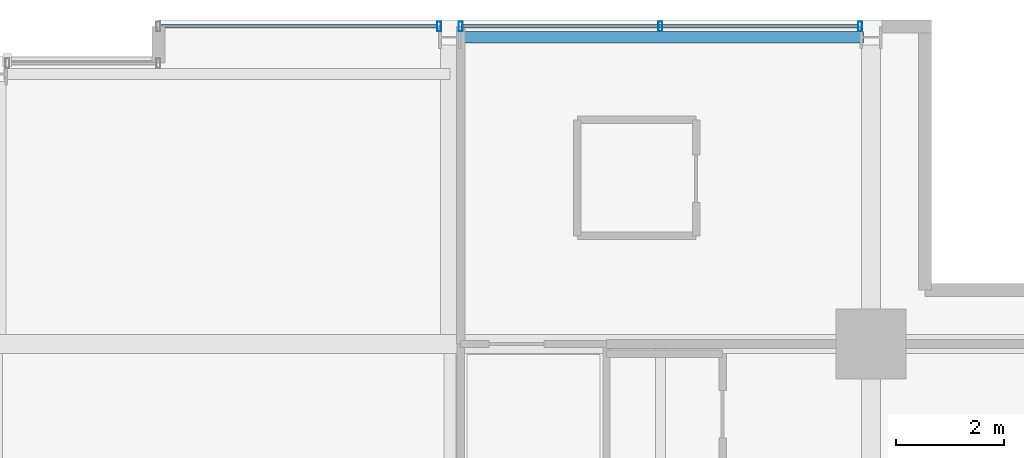
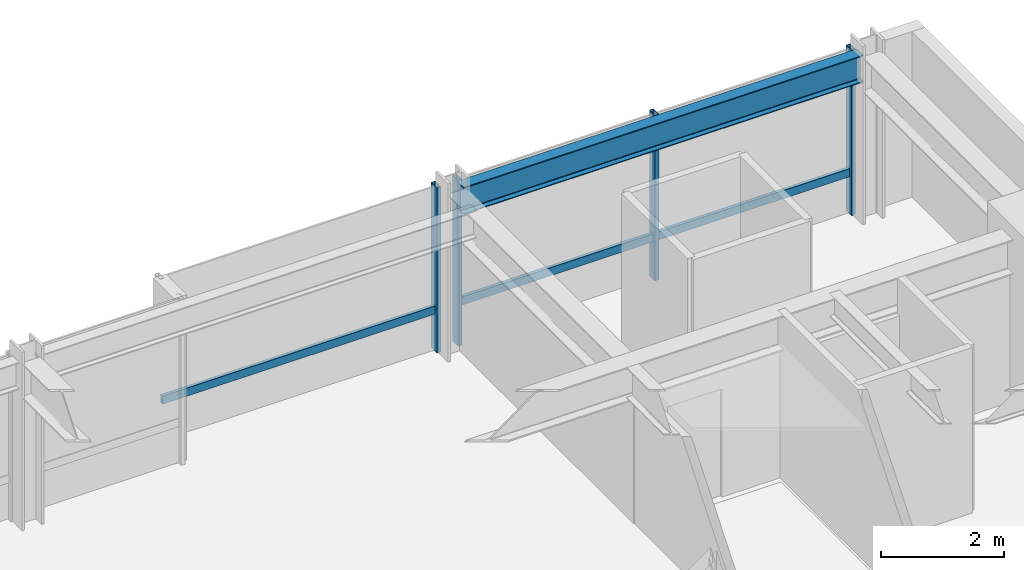
# One storey, part 25 of 33: 6 members, 1 beam, 2 elements without a shape of their own.
"""IFC4 building model written with IfcOpenShell, lengths in metres."""

from ifc_helpers import new_model, si_unit, direction, frame, origin, origin_2d, place, context, subcontext, project, spatial, hollow_rectangle, i_section, extrude, material, layer, layer_set, material_profile, profile_set, type_object, element, aggregate, save


model = new_model("IFC4")

# Units and contexts
model_context = context("Model", 3, precision=1e-05, world=origin(), true_north=direction((0.0, 1.0)))
body_context = subcontext(model_context, "Body", "Model", "MODEL_VIEW")
ifc_project = project(units=[si_unit("LENGTHUNIT", "METRE"), si_unit("AREAUNIT", "SQUARE_METRE"), si_unit("VOLUMEUNIT", "CUBIC_METRE"), si_unit("PLANEANGLEUNIT", "RADIAN"), si_unit("MASSUNIT", "GRAM", prefix="KILO")], contexts=[model_context])

# Site, building, storey
site_placement = place(None, origin())
site = spatial("IfcSite", under=ifc_project, at=site_placement, CompositionType="ELEMENT")
building_placement = place(site_placement, origin())
building = spatial("IfcBuilding", under=site, at=building_placement, Name="Drelvath Grand Hotel", CompositionType="ELEMENT")
storey_placement = place(building_placement, frame((0.0, 0.0, 161.050048828125)))
storey = spatial("IfcBuildingStorey", under=building, at=storey_placement, Name="L41", CompositionType="ELEMENT", Elevation=161.050048828125)

# Curtain wall, member
ifc_material_1 = material(Name="Brushed Pale-Silver Anodised Aluminium Frame", Category="aluminium")
ifc_layer = layer(ifc_material_1, 0.199951171875)
ifc_layer_set = layer_set([ifc_layer], Name="Brushed Pale-Silver Anodised Aluminium Frame")
curtain_wall_type = type_object("IfcCurtainWallType", Name="Stick Curtain Wall CW-04 Brushed Silver Upper-Mid", PredefinedType="NOTDEFINED", material=ifc_layer_set)
curtain_wall_1_placement = place(storey_placement, origin())
curtain_wall_1 = element("IfcCurtainWall", 1, at=curtain_wall_1_placement, inside=storey, type_object=curtain_wall_type, Name="L41 CW-04 Curtain Wall CW04-L41-NE1", PredefinedType="NOTDEFINED")
ifc_material_profile_1 = material_profile(ifc_material_1, hollow_rectangle(XDim=0.06494140625, YDim=0.159912109375, WallThickness=0.00390625, at=origin_2d()), Name="HSS160X65X4")
ifc_profile_set_1 = profile_set([ifc_material_profile_1], Name="Brushed Pale-Silver Anodised Aluminium Frame")
member_type_1 = type_object("IfcMemberType", Name="Curtain Wall Horizontal Transom CW-04 HSS160X65X4", PredefinedType="USERDEFINED", material=ifc_profile_set_1)
member_1_placement = place(storey_placement, frame((3.0400390625, 49.080078125, 0.822509765625), z_axis=(1.0, 0.0, 0.0), x_axis=(0.0, 1.0, 0.0)))
member_1 = element("IfcMember", 2, at=member_1_placement, type_object=member_type_1, Name="CW04-L41-NE1 Sill Transom", ObjectType="TRANSOM", PredefinedType="USERDEFINED", context=body_context, shape_type="SweptSolid", body=[
    extrude(hollow_rectangle(XDim=0.06494140625, YDim=0.159912109375, WallThickness=0.00390625, at=origin_2d()), origin(), (0.0, 0.0, 1.0), 5.119873046875),
])

curtain_wall_2_placement = place(storey_placement, origin())
curtain_wall_2 = element("IfcCurtainWall", 3, at=curtain_wall_2_placement, inside=storey, type_object=curtain_wall_type, Name="L41 CW-04 Curtain Wall CW04-L41-NE2", PredefinedType="NOTDEFINED")
member_2_placement = place(storey_placement, frame((8.64013671875, 49.080078125, 0.822509765625), z_axis=(1.0, 0.0, 0.0), x_axis=(0.0, 1.0, 0.0)))
member_2 = element("IfcMember", 4, at=member_2_placement, type_object=member_type_1, Name="CW04-L41-NE2 Sill Transom", ObjectType="TRANSOM", PredefinedType="USERDEFINED", context=body_context, shape_type="SweptSolid", body=[
    extrude(hollow_rectangle(XDim=0.06494140625, YDim=0.159912109375, WallThickness=0.00390625, at=origin_2d()), origin(), (0.0, 0.0, 1.0), 7.31982421875),
])

# Member
ifc_material_profile_2 = material_profile(ifc_material_1, hollow_rectangle(XDim=0.074951171875, YDim=0.179931640625, WallThickness=0.0048828125, at=origin_2d()), Name="HSS180X75X5")
ifc_profile_set_2 = profile_set([ifc_material_profile_2], Name="Brushed Pale-Silver Anodised Aluminium Frame")
member_type_2 = type_object("IfcMemberType", Name="Curtain Wall Vertical Mullion CW-04 HSS180X75X5", PredefinedType="MULLION", material=ifc_profile_set_2)
member_3_placement = place(storey_placement, frame((8.199951171875, 49.080078125, 0.0), z_axis=(0.0, 0.0, 1.0), x_axis=(1.0, 0.0, 0.0)))
member_3 = element("IfcMember", 5, at=member_3_placement, type_object=member_type_2, Name="CW04-L41-NE1 Mullion 2", PredefinedType="MULLION", context=body_context, shape_type="SweptSolid", body=[
    extrude(hollow_rectangle(XDim=0.074951171875, YDim=0.179931640625, WallThickness=0.0048828125, at=origin_2d()), origin(), (0.0, 0.0, 1.0), 3.2900390625),
])

aggregate(curtain_wall_1, [member_3, member_1])

member_4_placement = place(storey_placement, frame((8.60009765625, 49.080078125, 0.0), z_axis=(0.0, 0.0, 1.0), x_axis=(1.0, 0.0, 0.0)))
member_4 = element("IfcMember", 6, at=member_4_placement, type_object=member_type_2, Name="CW04-L41-NE2 Mullion 1", PredefinedType="MULLION", context=body_context, shape_type="SweptSolid", body=[
    extrude(hollow_rectangle(XDim=0.074951171875, YDim=0.179931640625, WallThickness=0.0048828125, at=origin_2d()), origin(), (0.0, 0.0, 1.0), 3.2900390625),
])

member_5_placement = place(storey_placement, frame((12.300048828125, 49.080078125, 0.0), z_axis=(0.0, 0.0, 1.0), x_axis=(1.0, 0.0, 0.0)))
member_5 = element("IfcMember", 7, at=member_5_placement, type_object=member_type_2, Name="CW04-L41-NE2 Mullion 2", PredefinedType="MULLION", context=body_context, shape_type="SweptSolid", body=[
    extrude(hollow_rectangle(XDim=0.074951171875, YDim=0.179931640625, WallThickness=0.0048828125, at=origin_2d()), origin(), (0.0, 0.0, 1.0), 3.2900390625),
])

member_6_placement = place(storey_placement, frame((16.0, 49.080078125, 0.0), z_axis=(0.0, 0.0, 1.0), x_axis=(1.0, 0.0, 0.0)))
member_6 = element("IfcMember", 8, at=member_6_placement, type_object=member_type_2, Name="CW04-L41-NE2 Mullion 3", PredefinedType="MULLION", context=body_context, shape_type="SweptSolid", body=[
    extrude(hollow_rectangle(XDim=0.074951171875, YDim=0.179931640625, WallThickness=0.0048828125, at=origin_2d()), origin(), (0.0, 0.0, 1.0), 3.2900390625),
])

aggregate(curtain_wall_2, [member_4, member_5, member_6, member_2])

# Beam
ifc_material_2 = material(Name="Steel ASTM A992 Gr 50", Category="steel")
ifc_material_profile_3 = material_profile(ifc_material_2, i_section(OverallWidth=0.210205078125, OverallDepth=0.53662109375, WebThickness=0.010986328125, FlangeThickness=0.017333984375, FilletRadius=0.01806640625, at=origin_2d()), Name="W21X68")
ifc_profile_set_3 = profile_set([ifc_material_profile_3], Name="Steel ASTM A992 Gr 50")
beam_type = type_object("IfcBeamType", Name="Perimeter Spandrel Beam W21X68", PredefinedType="SPANDREL", material=ifc_profile_set_3)
beam_placement = place(storey_placement, frame((8.5400390625, 48.8798828125, 3.021728515625), z_axis=(1.0, 0.0, 0.0), x_axis=(0.0, 1.0, 0.0)))
element("IfcBeam", 9, at=beam_placement, inside=storey, type_object=beam_type, Name="L41 Spandrel North E", PredefinedType="SPANDREL", context=body_context, shape_type="SweptSolid", body=[
    extrude(i_section(OverallWidth=0.210205078125, OverallDepth=0.53662109375, WebThickness=0.010986328125, FlangeThickness=0.017333984375, FilletRadius=0.01806640625, at=origin_2d()), origin(), (0.0, 0.0, 1.0), 7.52001953125),
])

save(model, "model.ifc")
